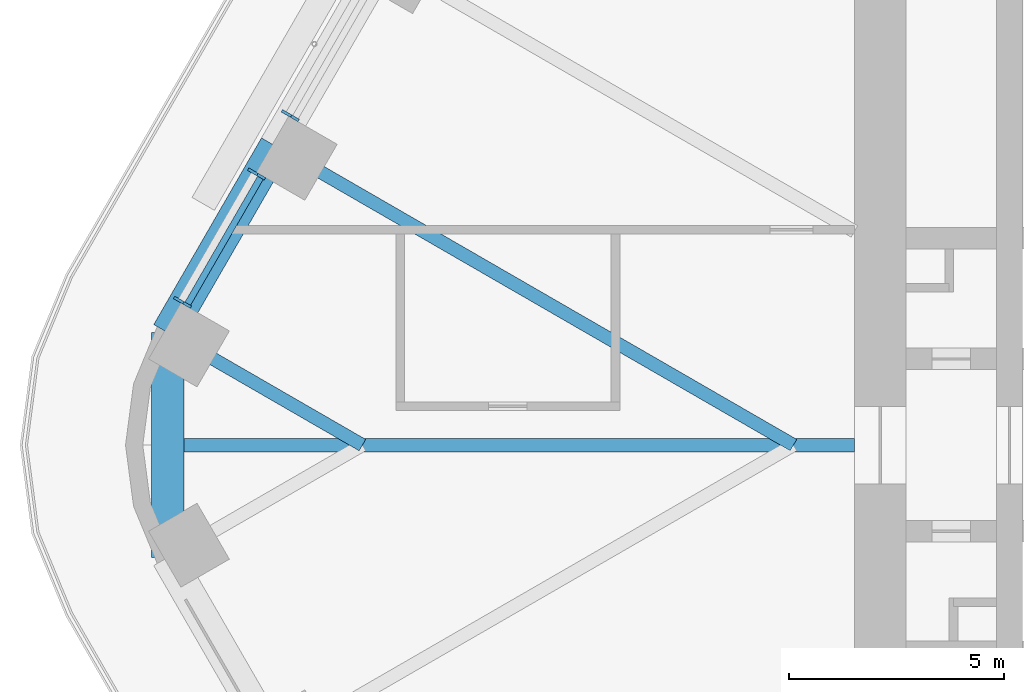
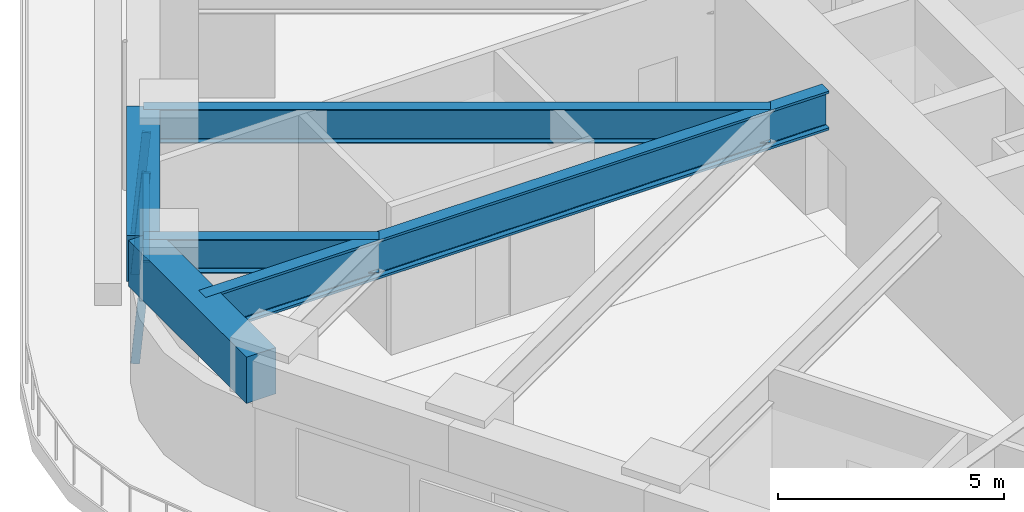
# One storey, part 6 of 24: 5 beams, 4 members, 2 elements without a shape of their own.
"""IFC4 building model written with IfcOpenShell, lengths in metres."""

from ifc_helpers import new_model, si_unit, direction, frame, origin, origin_2d, place, context, subcontext, project, spatial, rectangle, i_section, extrude, material, material_profile, profile_set, type_object, element, aggregate, save


model = new_model("IFC4")

# Units and contexts
model_context = context("Model", 3, precision=1e-05, world=origin(), true_north=direction((0.0, 1.0)))
body_context = subcontext(model_context, "Body", "Model", "MODEL_VIEW")
ifc_project = project(units=[si_unit("LENGTHUNIT", "METRE"), si_unit("AREAUNIT", "SQUARE_METRE"), si_unit("VOLUMEUNIT", "CUBIC_METRE"), si_unit("PLANEANGLEUNIT", "RADIAN"), si_unit("MASSUNIT", "GRAM", prefix="KILO")], contexts=[model_context])

# Site, building, storey
site_placement = place(None, origin())
site = spatial("IfcSite", under=ifc_project, at=site_placement, CompositionType="ELEMENT")
building_placement = place(site_placement, origin())
building = spatial("IfcBuilding", under=site, at=building_placement, Name="Tarfa Lantern Tower", CompositionType="ELEMENT")
storey_placement = place(building_placement, frame((0.0, 0.0, 190.89990234375)))
storey = spatial("IfcBuildingStorey", under=building, at=storey_placement, Name="L43", CompositionType="ELEMENT", Elevation=190.89990234375)

# Curtain wall, member
ifc_material_1 = material(Name="Aluminium framed curtain wall", Category="aluminium")
curtain_wall_type = type_object("IfcCurtainWallType", Name="CW2 CANTED GLAZING MID ZONE 2750", PredefinedType="USERDEFINED", material=ifc_material_1)
curtain_wall_1_placement = place(storey_placement, origin())
curtain_wall_1 = element("IfcCurtainWall", 1, at=curtain_wall_1_placement, inside=storey, type_object=curtain_wall_type, Name="CW2 NWB L43", ObjectType="CURTAIN WALL", PredefinedType="USERDEFINED")
ifc_material_2 = material(Name="Aluminium mullion", Category="aluminium")
ifc_material_profile_1 = material_profile(ifc_material_2, rectangle(XDim=0.06494140625, YDim=0.199951171875, at=origin_2d()), Name="AL MULLION 65x200")
ifc_profile_set_1 = profile_set([ifc_material_profile_1], Name="Aluminium mullion")
member_type_1 = type_object("IfcMemberType", Name="CWM1 MULLION 65x200", PredefinedType="MULLION", material=ifc_profile_set_1)
member_1_placement = place(storey_placement, frame((-31.8056640625, 7.7109375, 0.0), z_axis=(0.078422950161, -0.045267813396, 0.995891894715), x_axis=(0.499919672301, 0.866071776036, 0.0)))
member_1 = element("IfcMember", 2, at=member_1_placement, type_object=member_type_1, Name="CW2 mullion 2", PredefinedType="MULLION", context=body_context, shape_type="SweptSolid", body=[
    extrude(rectangle(XDim=0.06494140625, YDim=0.199951171875, at=origin_2d()), origin(), (0.0, 0.0, 1.0), 2.76123046875),
])
aggregate(curtain_wall_1, [member_1])

# Curtain wall, members
curtain_wall_2_placement = place(storey_placement, origin())
curtain_wall_2 = element("IfcCurtainWall", 3, at=curtain_wall_2_placement, inside=storey, type_object=curtain_wall_type, Name="CW2 NWB L43", ObjectType="CURTAIN WALL", PredefinedType="USERDEFINED")
member_2_placement = place(storey_placement, frame((-32.588134765625, 6.355712890625, 0.0), z_axis=(0.078422950161, -0.045267813396, 0.995891894715), x_axis=(0.499919672301, 0.866071776036, 0.0)))
member_2 = element("IfcMember", 4, at=member_2_placement, type_object=member_type_1, Name="CW2 mullion 1", PredefinedType="MULLION", context=body_context, shape_type="SweptSolid", body=[
    extrude(rectangle(XDim=0.06494140625, YDim=0.199951171875, at=origin_2d()), origin(), (0.0, 0.0, 1.0), 2.76123046875),
])
member_3_placement = place(storey_placement, frame((-34.3076171875, 3.377685546875, 0.0), z_axis=(0.078422950161, -0.045267813396, 0.995891894715), x_axis=(0.499919672301, 0.866071776036, 0.0)))
member_3 = element("IfcMember", 5, at=member_3_placement, type_object=member_type_1, Name="CW2 mullion 2", PredefinedType="MULLION", context=body_context, shape_type="SweptSolid", body=[
    extrude(rectangle(XDim=0.06494140625, YDim=0.199951171875, at=origin_2d()), origin(), (0.0, 0.0, 1.0), 2.76123046875),
])
ifc_material_3 = material(Name="Aluminium transom", Category="aluminium")
ifc_material_profile_2 = material_profile(ifc_material_3, rectangle(XDim=0.14990234375, YDim=0.06494140625, at=origin_2d()), Name="AL TRANSOM 150x65")
ifc_profile_set_2 = profile_set([ifc_material_profile_2], Name="Aluminium transom")
member_type_2 = type_object("IfcMemberType", Name="CWT1 TRANSOM 150x65", PredefinedType="USERDEFINED", material=ifc_profile_set_2)
member_4_placement = place(storey_placement, frame((-32.390380859375, 6.2041015625, 2.717529296875), z_axis=(-0.500014760403, -0.866016881694, 0.0), x_axis=(0.866016881694, -0.500014760403, 0.0)))
member_4 = element("IfcMember", 6, at=member_4_placement, type_object=member_type_2, Name="CW2 transom 1.2", ObjectType="TRANSOM", PredefinedType="USERDEFINED", context=body_context, shape_type="SweptSolid", body=[
    extrude(rectangle(XDim=0.14990234375, YDim=0.06494140625, at=origin_2d()), origin(), (0.0, 0.0, 1.0), 3.3740234375),
])
aggregate(curtain_wall_2, [member_2, member_3, member_4])

# Beams
ifc_material_4 = material(Name="Concrete C80/95", Category="concrete")
ifc_material_profile_3 = material_profile(ifc_material_4, rectangle(XDim=0.75, YDim=1.25, at=origin_2d()), Name="RC 750x1250")
ifc_profile_set_3 = profile_set([ifc_material_profile_3], Name="Concrete C80/95")
beam_type_1 = type_object("IfcBeamType", Name="EB2 RC 750x1250", PredefinedType="SPANDREL", material=ifc_profile_set_3)
beam_1_placement = place(storey_placement, frame((-32.041015625, 6.943359375, 3.375), z_axis=(-0.500022324899, -0.866012514114, 0.0), x_axis=(0.866012514114, -0.500022324899, 0.0)))
element("IfcBeam", 7, at=beam_1_placement, inside=storey, type_object=beam_type_1, Name="Edge beam NW5", PredefinedType="SPANDREL", context=body_context, shape_type="SweptSolid", body=[
    extrude(rectangle(XDim=0.75, YDim=1.25, at=origin_2d()), origin(), (0.0, 0.0, 1.0), 5.003662109375),
])
beam_2_placement = place(storey_placement, frame((-34.54296875, 2.610107421875, 3.375), z_axis=(0.0, -1.0, 0.0), x_axis=(1.0, 0.0, 0.0)))
element("IfcBeam", 8, at=beam_2_placement, inside=storey, type_object=beam_type_1, Name="Edge beam NW6", PredefinedType="SPANDREL", context=body_context, shape_type="SweptSolid", body=[
    extrude(rectangle(XDim=0.75, YDim=1.25, at=origin_2d()), origin(), (0.0, 0.0, 1.0), 5.22021484375),
])
ifc_material_5 = material(Name="Steel S460M", Category="steel")
ifc_material_profile_4 = material_profile(ifc_material_5, i_section(OverallWidth=0.314208984375, OverallDepth=1.055908203125, WebThickness=0.035888671875, FlangeThickness=0.06396484375, FilletRadius=0.030029296875, at=origin_2d()), Name="UB1016x305x584")
ifc_profile_set_4 = profile_set([ifc_material_profile_4], Name="Steel S460M")
beam_type_2 = type_object("IfcBeamType", Name="UB1016x305x584", PredefinedType="BEAM", material=ifc_profile_set_4)
beam_3_placement = place(storey_placement, frame((-18.60009765625, 0.0, 3.47216796875), z_axis=(-1.0, 0.0, 0.0), x_axis=(0.0, -1.0, 0.0)))
element("IfcBeam", 9, at=beam_3_placement, inside=storey, type_object=beam_type_2, Name="Hip girder W", PredefinedType="BEAM", context=body_context, shape_type="SweptSolid", body=[
    extrude(i_section(OverallWidth=0.314208984375, OverallDepth=1.055908203125, WebThickness=0.035888671875, FlangeThickness=0.06396484375, FilletRadius=0.030029296875, at=origin_2d()), origin(), (0.0, 0.0, 1.0), 15.94287109375),
])
ifc_material_profile_5 = material_profile(ifc_material_5, i_section(OverallWidth=0.305419921875, OverallDepth=0.91845703125, WebThickness=0.017333984375, FlangeThickness=0.02783203125, FilletRadius=0.01904296875, at=origin_2d()), Name="UB914x305x253")
ifc_profile_set_5 = profile_set([ifc_material_profile_5], Name="Steel S460M")
beam_type_3 = type_object("IfcBeamType", Name="UB914x305x253", PredefinedType="BEAM", material=ifc_profile_set_5)
beam_4_placement = place(storey_placement, frame((-32.041015625, 6.943359375, 3.541015625), z_axis=(0.866023096411, -0.500003996466, 0.0), x_axis=(0.500003996466, 0.866023096411, 0.0)))
element("IfcBeam", 10, at=beam_4_placement, inside=storey, type_object=beam_type_3, Name="Floor beam NW5", PredefinedType="BEAM", context=body_context, shape_type="SweptSolid", body=[
    extrude(i_section(OverallWidth=0.305419921875, OverallDepth=0.91845703125, WebThickness=0.017333984375, FlangeThickness=0.02783203125, FilletRadius=0.01904296875, at=origin_2d()), origin(), (0.0, 0.0, 1.0), 13.88671875),
])
beam_5_placement = place(storey_placement, frame((-34.54296875, 2.610107421875, 3.541015625), z_axis=(0.866021250859, -0.500007193008, 0.0), x_axis=(0.500007193008, 0.866021250859, 0.0)))
element("IfcBeam", 11, at=beam_5_placement, inside=storey, type_object=beam_type_3, Name="Floor beam NW6", PredefinedType="BEAM", context=body_context, shape_type="SweptSolid", body=[
    extrude(i_section(OverallWidth=0.305419921875, OverallDepth=0.91845703125, WebThickness=0.017333984375, FlangeThickness=0.02783203125, FilletRadius=0.01904296875, at=origin_2d()), origin(), (0.0, 0.0, 1.0), 5.22021484375),
])

save(model, "model.ifc")
